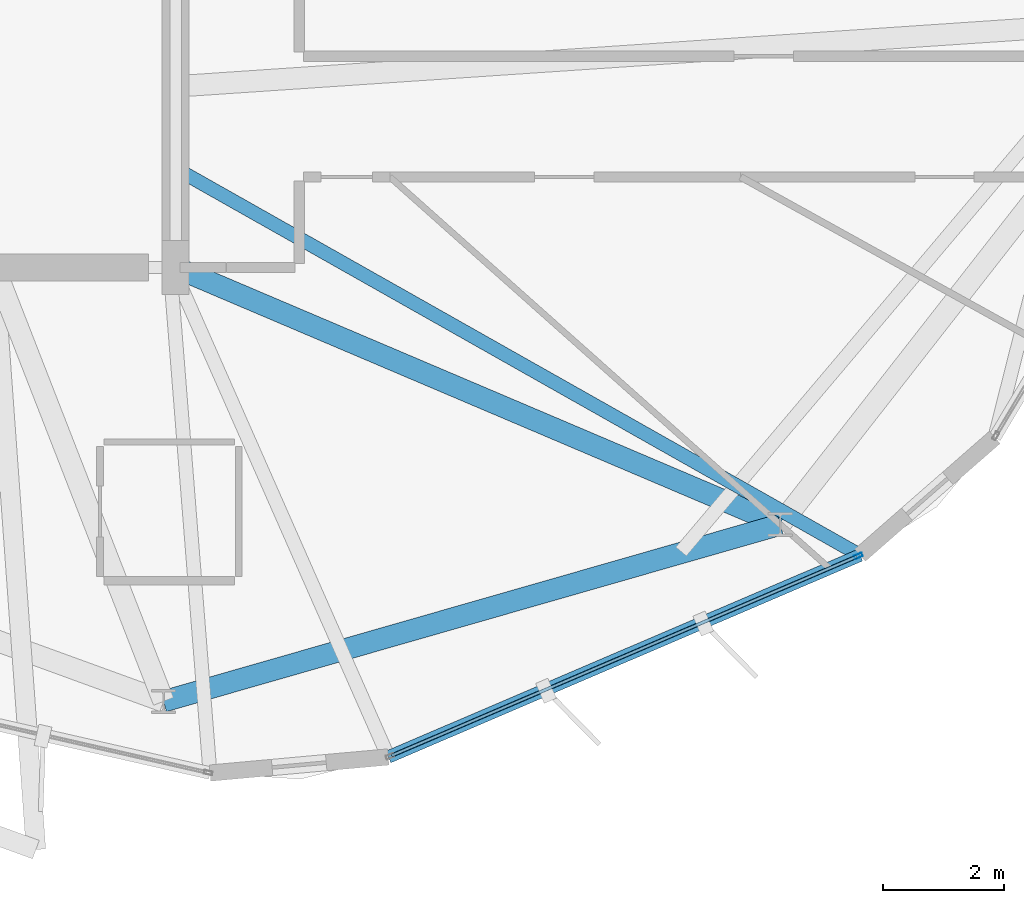
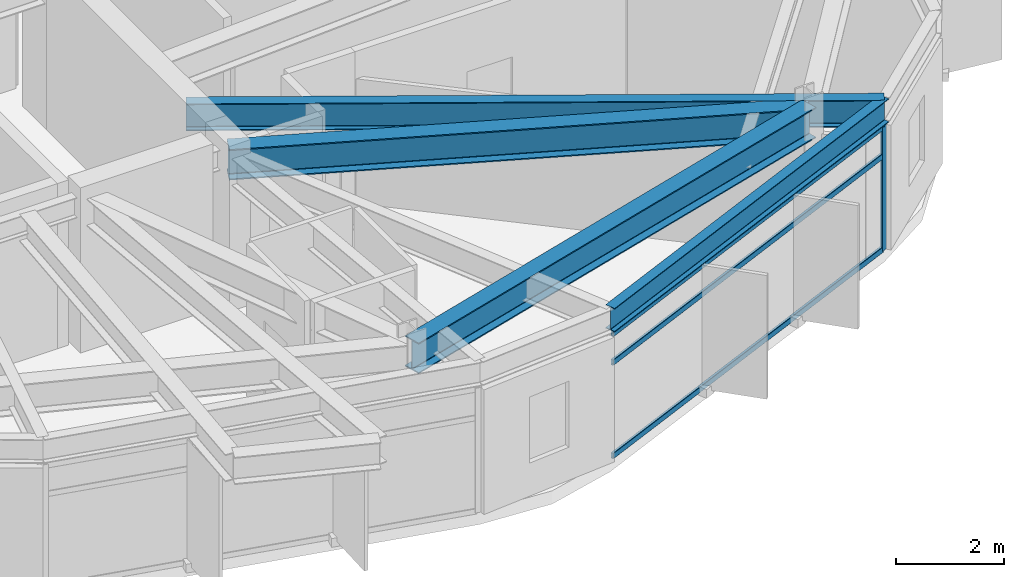
# One storey, part 6 of 23: 4 beams, 4 members, 1 element without a shape of its own.
"""IFC4 building model written with IfcOpenShell, lengths in metres."""

from ifc_helpers import new_model, si_unit, direction, frame, origin, origin_2d, place, context, subcontext, project, spatial, hollow_rectangle, i_section, extrude, material, layer, layer_set, material_profile, profile_set, type_object, element, aggregate, save


model = new_model("IFC4")

# Units and contexts
model_context = context("Model", 3, precision=1e-05, world=origin(), true_north=direction((0.0, 1.0)))
body_context = subcontext(model_context, "Body", "Model", "MODEL_VIEW")
ifc_project = project(units=[si_unit("LENGTHUNIT", "METRE"), si_unit("AREAUNIT", "SQUARE_METRE"), si_unit("VOLUMEUNIT", "CUBIC_METRE"), si_unit("PLANEANGLEUNIT", "RADIAN"), si_unit("MASSUNIT", "GRAM", prefix="KILO")], contexts=[model_context])

# Site, building, storey
site_placement = place(None, origin())
site = spatial("IfcSite", under=ifc_project, at=site_placement, CompositionType="ELEMENT")
building_placement = place(site_placement, origin())
building = spatial("IfcBuilding", under=site, at=building_placement, Name="Soratama Intermodal Tower", CompositionType="ELEMENT")
storey_placement = place(building_placement, frame((0.0, 0.0, 250.0)))
storey = spatial("IfcBuildingStorey", under=building, at=storey_placement, Name="L63", CompositionType="ELEMENT", Elevation=250.0)

# Beams
ifc_material_1 = material(Name="Structural steel ASTM A992 Grade 50", Category="steel")
ifc_material_profile_1 = material_profile(ifc_material_1, i_section(OverallWidth=0.35498046875, OverallDepth=0.695068359375, WebThickness=0.015380859375, FlangeThickness=0.02490234375, FilletRadius=0.01611328125, at=origin_2d()), Name="W27X146")
ifc_profile_set_1 = profile_set([ifc_material_profile_1], Name="Structural steel ASTM A992 Grade 50")
beam_type_1 = type_object("IfcBeamType", Name="BM-RING-W27X146", PredefinedType="BEAM", material=ifc_profile_set_1)
beam_1_placement = place(storey_placement, frame((44.39990234375, 7.81103515625, 3.1025390625), z_axis=(0.961262636932, 0.27563407416, 0.0), x_axis=(-0.27563407416, 0.961262636932, 0.0)))
element("IfcBeam", 1, at=beam_1_placement, inside=storey, type_object=beam_type_1, Name="BM-L63-RING-08", PredefinedType="BEAM", context=body_context, shape_type="SweptSolid", body=[
    extrude(i_section(OverallWidth=0.35498046875, OverallDepth=0.695068359375, WebThickness=0.015380859375, FlangeThickness=0.02490234375, FilletRadius=0.01611328125, at=origin_2d()), origin(), (0.0, 0.0, 1.0), 10.6298828125),
])
beam_2_placement = place(storey_placement, frame((44.60009765625, 15.0, 3.1025390625), z_axis=(0.920282671955, -0.391254142087, 0.0), x_axis=(0.391254142087, 0.920282671955, 0.0)))
element("IfcBeam", 2, at=beam_2_placement, inside=storey, type_object=beam_type_1, Name="BM-L63-RAD-09", PredefinedType="BEAM", context=body_context, shape_type="SweptSolid", body=[
    extrude(i_section(OverallWidth=0.35498046875, OverallDepth=0.695068359375, WebThickness=0.015380859375, FlangeThickness=0.02490234375, FilletRadius=0.01611328125, at=origin_2d()), origin(), (0.0, 0.0, 1.0), 10.885498046875),
])
ifc_material_2 = material(Name="Structural steel ASTM A992 Grade 50", Category="steel")
ifc_material_profile_2 = material_profile(ifc_material_2, i_section(OverallWidth=0.2099609375, OverallDepth=0.537109375, WebThickness=0.010986328125, FlangeThickness=0.017333984375, FilletRadius=0.012939453125, at=origin_2d()), Name="W21X68")
ifc_profile_set_2 = profile_set([ifc_material_profile_2], Name="Structural steel ASTM A992 Grade 50")
beam_type_2 = type_object("IfcBeamType", Name="BM-SPN-W21X68", PredefinedType="SPANDREL", material=ifc_profile_set_2)
beam_3_placement = place(storey_placement, frame((48.125, 6.889892578125, 3.181396484375), z_axis=(0.919410752321, 0.393298701391, 0.0), x_axis=(-0.393298701391, 0.919410752321, 0.0)))
element("IfcBeam", 3, at=beam_3_placement, inside=storey, type_object=beam_type_2, Name="BS-L63-F07", PredefinedType="SPANDREL", context=body_context, shape_type="SweptSolid", body=[
    extrude(i_section(OverallWidth=0.2099609375, OverallDepth=0.537109375, WebThickness=0.010986328125, FlangeThickness=0.017333984375, FilletRadius=0.012939453125, at=origin_2d()), origin(), (0.0, 0.0, 1.0), 8.5),
])
ifc_material_3 = material(Name="Structural steel ASTM A992 Grade 50", Category="steel")
ifc_material_profile_3 = material_profile(ifc_material_3, i_section(OverallWidth=0.22900390625, OverallDepth=0.612060546875, WebThickness=0.011962890625, FlangeThickness=0.01953125, FilletRadius=0.012939453125, at=origin_2d()), Name="W24X84")
ifc_profile_set_3 = profile_set([ifc_material_profile_3], Name="Structural steel ASTM A992 Grade 50")
beam_type_3 = type_object("IfcBeamType", Name="BM-TIE-W24X84", PredefinedType="BEAM", material=ifc_profile_set_3)
beam_4_placement = place(storey_placement, frame((44.635009765625, 16.62109375, 3.14404296875), z_axis=(0.870614309765, -0.491966181391, 0.0), x_axis=(0.491966181391, 0.870614309765, 0.0)))
element("IfcBeam", 4, at=beam_4_placement, inside=storey, type_object=beam_type_3, Name="BM-L63-TIE1-07", PredefinedType="BEAM", context=body_context, shape_type="SweptSolid", body=[
    extrude(i_section(OverallWidth=0.22900390625, OverallDepth=0.612060546875, WebThickness=0.011962890625, FlangeThickness=0.01953125, FilletRadius=0.012939453125, at=origin_2d()), origin(), (0.0, 0.0, 1.0), 12.985107421875),
])

# Curtain wall, members
ifc_material_4 = material(Name="Double-glazed aluminium curtain wall", Category="aluminium")
ifc_layer = layer(ifc_material_4, 0.159912109375)
ifc_layer_set = layer_set([ifc_layer], Name="Double-glazed aluminium curtain wall")
curtain_wall_type = type_object("IfcCurtainWallType", Name="CW-SYS-5", PredefinedType="NOTDEFINED", material=ifc_layer_set)
curtain_wall_placement = place(storey_placement, origin())
curtain_wall = element("IfcCurtainWall", 5, at=curtain_wall_placement, inside=storey, type_object=curtain_wall_type, Name="L63 Faceted Curtain Wall F07", PredefinedType="NOTDEFINED")
ifc_material_5 = material(Name="Anodised aluminium AA 6063-T6", Category="aluminium")
ifc_material_profile_4 = material_profile(ifc_material_5, hollow_rectangle(XDim=0.06494140625, YDim=0.139892578125, WallThickness=0.0048828125, InnerFilletRadius=0.0048828125, OuterFilletRadius=0.010009765625, at=origin_2d()), Name="CWM140X65X5")
ifc_profile_set_4 = profile_set([ifc_material_profile_4], Name="Anodised aluminium AA 6063-T6")
member_type_1 = type_object("IfcMemberType", Name="MT-CWM-5", PredefinedType="MULLION", material=ifc_profile_set_4)
member_1_placement = place(storey_placement, frame((55.912109375, 10.220703125, 0.0), z_axis=(0.0, 0.0, 1.0), x_axis=(-0.393298714752, 0.919410746606, 0.0)))
member_1 = element("IfcMember", 6, at=member_1_placement, type_object=member_type_1, Name="CW-5 mullion 2", PredefinedType="MULLION", context=body_context, shape_type="SweptSolid", body=[
    extrude(hollow_rectangle(XDim=0.06494140625, YDim=0.139892578125, WallThickness=0.0048828125, InnerFilletRadius=0.0048828125, OuterFilletRadius=0.010009765625, at=origin_2d()), origin(), (0.0, 0.0, 1.0), 2.8291015625),
])
ifc_material_6 = material(Name="Anodised aluminium AA 6063-T6", Category="aluminium")
ifc_material_profile_5 = material_profile(ifc_material_6, hollow_rectangle(XDim=0.06005859375, YDim=0.1298828125, WallThickness=0.0048828125, InnerFilletRadius=0.0048828125, OuterFilletRadius=0.010009765625, at=origin_2d()), Name="CWT130X60X5")
ifc_profile_set_5 = profile_set([ifc_material_profile_5], Name="Anodised aluminium AA 6063-T6")
member_type_2 = type_object("IfcMemberType", Name="TT-CWT-2", PredefinedType="USERDEFINED", material=ifc_profile_set_5)
member_2_placement = place(storey_placement, frame((48.179931640625, 6.9130859375, 0.030029296875), z_axis=(0.919407031331, 0.393307399802, 0.0), x_axis=(-0.393307399802, 0.919407031331, 0.0)))
member_2 = element("IfcMember", 7, at=member_2_placement, type_object=member_type_2, Name="CW-5 transom 1.1", ObjectType="TRANSOM", PredefinedType="USERDEFINED", context=body_context, shape_type="SweptSolid", body=[
    extrude(hollow_rectangle(XDim=0.06005859375, YDim=0.1298828125, WallThickness=0.0048828125, InnerFilletRadius=0.0048828125, OuterFilletRadius=0.010009765625, at=origin_2d()), origin(), (0.0, 0.0, 1.0), 8.3798828125),
])
member_3_placement = place(storey_placement, frame((48.179931640625, 6.9130859375, 2.14990234375), z_axis=(0.919407031331, 0.393307399802, 0.0), x_axis=(-0.393307399802, 0.919407031331, 0.0)))
member_3 = element("IfcMember", 8, at=member_3_placement, type_object=member_type_2, Name="CW-5 transom 1.2", ObjectType="TRANSOM", PredefinedType="USERDEFINED", context=body_context, shape_type="SweptSolid", body=[
    extrude(hollow_rectangle(XDim=0.06005859375, YDim=0.1298828125, WallThickness=0.0048828125, InnerFilletRadius=0.0048828125, OuterFilletRadius=0.010009765625, at=origin_2d()), origin(), (0.0, 0.0, 1.0), 8.3798828125),
])
member_4_placement = place(storey_placement, frame((48.179931640625, 6.9130859375, 2.799072265625), z_axis=(0.919407031331, 0.393307399802, 0.0), x_axis=(-0.393307399802, 0.919407031331, 0.0)))
member_4 = element("IfcMember", 9, at=member_4_placement, type_object=member_type_2, Name="CW-5 transom 1.3", ObjectType="TRANSOM", PredefinedType="USERDEFINED", context=body_context, shape_type="SweptSolid", body=[
    extrude(hollow_rectangle(XDim=0.06005859375, YDim=0.1298828125, WallThickness=0.0048828125, InnerFilletRadius=0.0048828125, OuterFilletRadius=0.010009765625, at=origin_2d()), origin(), (0.0, 0.0, 1.0), 8.3798828125),
])
aggregate(curtain_wall, [member_1, member_2, member_3, member_4])

save(model, "model.ifc")
